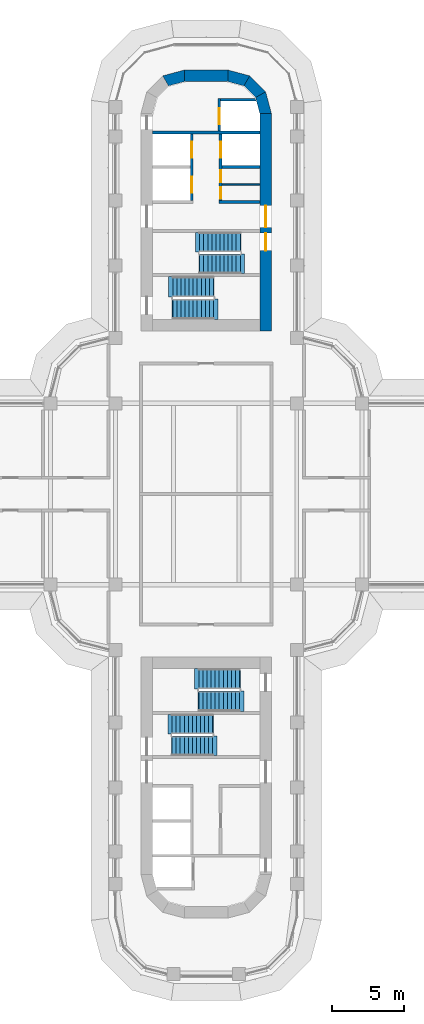
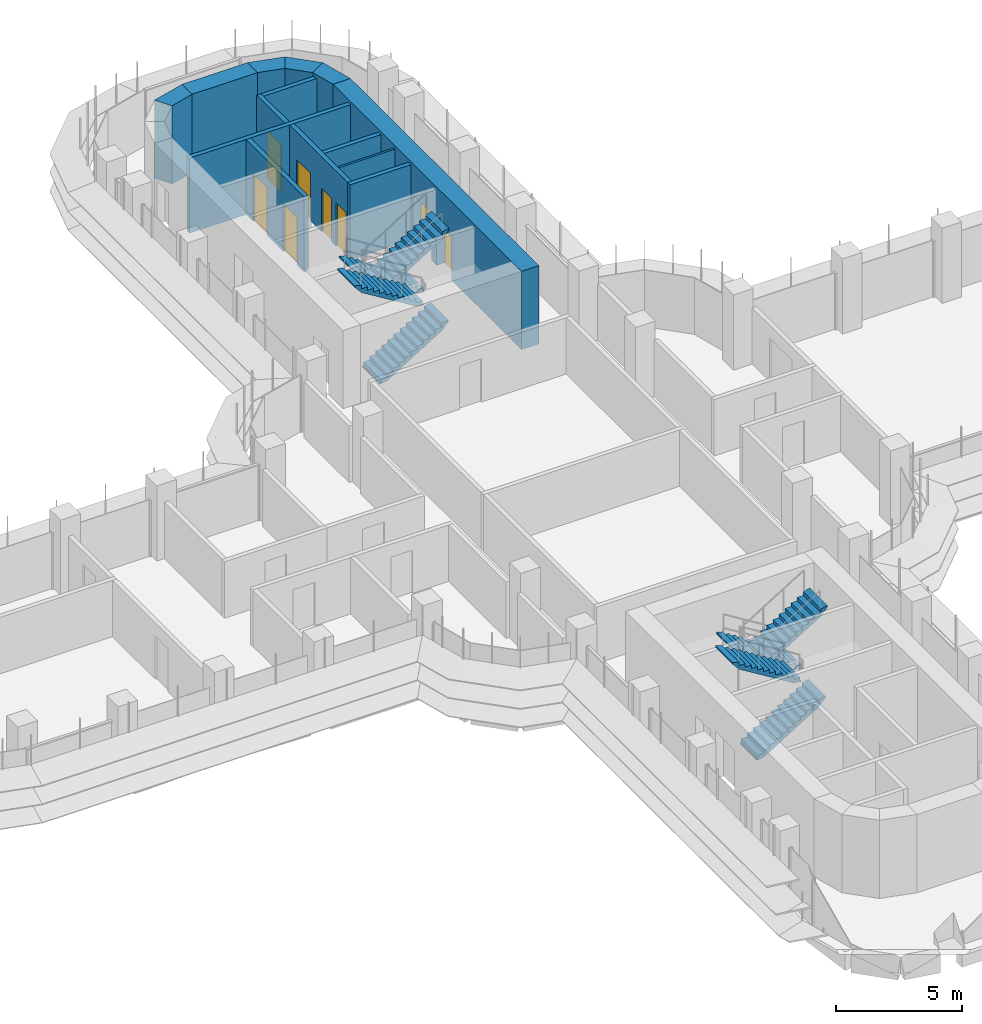
# One storey, part 17 of 21: 14 walls, 8 doors, 8 stair flights, 8 openings, 4 elements without a shape of their own.
"""IFC4 building model written with IfcOpenShell, lengths in metres."""

import ifcopenshell
import ifcopenshell.guid

model = None  # the IFC model being written
_history = None  # IfcOwnerHistory: only IFC2X3 demands one
_inside = {}  # id of a spatial element -> (the spatial element, [elements in it])
_under = {}  # id of a project, library or spatial element -> (it, [spatial elements below it])
_declared = {}  # id of a project -> (the project, [libraries it declares])
_typed = {}  # id of a type object -> (the type object, [elements of that type])
_made_of = {}  # id of a material, layer set ... -> (it, [elements and type objects made of it])


def new_model(schema):
    """Start an empty IFC model of exactly this schema.

    Asked for "IFC4X3", IfcOpenShell would pick the latest addendum, in which some entities
    have other attributes; the version numbers below select the first issue.
    IFC2X3 requires an IfcOwnerHistory on every rooted entity: one is made here for all.
    """
    global model, _history
    if schema == "IFC4X3":
        model = ifcopenshell.file(schema_version=(4, 3, 0, 0))
    else:
        model = ifcopenshell.file(schema=schema)
    _inside.clear()
    _under.clear()
    _declared.clear()
    _typed.clear()
    _made_of.clear()
    _history = None
    if model.schema == "IFC2X3":
        org = make("IfcOrganization", Name="unknown")
        user = make(
            "IfcPersonAndOrganization",
            ThePerson=make("IfcPerson", FamilyName="unknown"),
            TheOrganization=org,
        )
        app = make(
            "IfcApplication",
            ApplicationDeveloper=org,
            Version="unknown",
            ApplicationFullName="unknown",
            ApplicationIdentifier="unknown",
        )
        _history = make(
            "IfcOwnerHistory",
            OwningUser=user,
            OwningApplication=app,
            ChangeAction="ADDED",
            CreationDate=0,
        )
    return model


def make(cls, **values):
    """One entity of the class cls with the attributes given. An attribute that is None is left unset."""
    return model.create_entity(
        cls, **{name: value for name, value in values.items() if value is not None}
    )


def rooted(cls, **values):
    """An entity with a GlobalId (a new one), such as an element, a storey or a relation."""
    return make(cls, GlobalId=ifcopenshell.guid.new(), OwnerHistory=_history, **values)


def si_unit(unit_type, name, prefix=None):
    """IfcSIUnit, for example si_unit("LENGTHUNIT", "METRE", prefix="MILLI")."""
    return make("IfcSIUnit", UnitType=unit_type, Prefix=prefix, Name=name)


def assignment(units):
    """IfcUnitAssignment: the units of a project."""
    return None if units is None else make("IfcUnitAssignment", Units=units)


def point(xyz):
    """IfcCartesianPoint."""
    return None if xyz is None else make("IfcCartesianPoint", Coordinates=xyz)


def direction(xyz):
    """IfcDirection."""
    return None if xyz is None else make("IfcDirection", DirectionRatios=xyz)


def frame(location, z_axis=None, x_axis=None):
    """IfcAxis2Placement3D, a coordinate frame: its origin and axes. An axis left out is left unset."""
    return make(
        "IfcAxis2Placement3D",
        Location=point(location),
        Axis=direction(z_axis),
        RefDirection=direction(x_axis),
    )


def frame_2d(location, x_axis=None):
    """IfcAxis2Placement2D, a coordinate frame in the plane: its origin and x axis."""
    return make(
        "IfcAxis2Placement2D", Location=point(location), RefDirection=direction(x_axis)
    )


def origin():
    """The frame at (0, 0, 0) with its axes left unset."""
    return frame((0.0, 0.0, 0.0))


def place(relative_to, where):
    """IfcLocalPlacement: puts the frame where relative to a parent placement (None: the world)."""
    return make(
        "IfcLocalPlacement", PlacementRelTo=relative_to, RelativePlacement=where
    )


def context(
    kind, dimensions, precision=None, world=None, true_north=None, identifier=None
):
    """IfcGeometricRepresentationContext, for example the 3D "Model" context."""
    return make(
        "IfcGeometricRepresentationContext",
        ContextIdentifier=identifier,
        ContextType=kind,
        CoordinateSpaceDimension=dimensions,
        Precision=precision,
        WorldCoordinateSystem=world,
        TrueNorth=true_north,
    )


def subcontext(parent, identifier, kind, view, scale=None):
    """IfcGeometricRepresentationSubContext, for example "Body" below "Model"."""
    return make(
        "IfcGeometricRepresentationSubContext",
        ContextIdentifier=identifier,
        ContextType=kind,
        ParentContext=parent,
        TargetScale=scale,
        TargetView=view,
    )


def project(units=None, contexts=None):
    """IfcProject with its units and contexts."""
    return rooted(
        "IfcProject",
        Name="project",
        RepresentationContexts=contexts,
        UnitsInContext=assignment(units),
    )


def spatial(cls, under=None, at=None, **own):
    """A site, building, storey or space (cls), placed at a placement, below another one or the project."""
    s = rooted(cls, ObjectPlacement=at, **own)
    if under is not None:
        _under.setdefault(under.id(), (under, []))[1].append(s)
    return s


def polyline(points):
    """IfcPolyline through the points."""
    return make("IfcPolyline", Points=[point(p) for p in points])


def profile(cls, at=None, kind="AREA", **sizes):
    """A parametric profile (cls). Its sizes go by their IFC names, for example OverallWidth=200.0."""
    return make(cls, ProfileType=kind, Position=at, **sizes)


def rectangle(**sizes):
    """IfcRectangleProfileDef."""
    return profile("IfcRectangleProfileDef", **sizes)


def outline(outer, holes=None, kind="AREA"):
    """IfcArbitraryClosedProfileDef: a profile drawn as a closed curve; with holes, ...WithVoids."""
    if holes is None:
        return make("IfcArbitraryClosedProfileDef", ProfileType=kind, OuterCurve=outer)
    return make(
        "IfcArbitraryProfileDefWithVoids",
        ProfileType=kind,
        OuterCurve=outer,
        InnerCurves=holes,
    )


def extrude(swept, where, along, depth):
    """IfcExtrudedAreaSolid: the profile swept, set in the frame where, extruded along a direction by depth."""
    return make(
        "IfcExtrudedAreaSolid",
        SweptArea=swept,
        Position=where,
        ExtrudedDirection=direction(along),
        Depth=depth,
    )


def shape(context_of_items, identifier, shape_type, items):
    """IfcShapeRepresentation: the items that make up one representation, for example the "Body"."""
    return make(
        "IfcShapeRepresentation",
        ContextOfItems=context_of_items,
        RepresentationIdentifier=identifier,
        RepresentationType=shape_type,
        Items=items,
    )


def material(Name=None, Category=None):
    """IfcMaterial."""
    return make("IfcMaterial", Name=Name, Category=Category)


def layer(
    of_material, thickness, ventilated=None, Name=None, Category=None, Priority=None
):
    """IfcMaterialLayer: one layer of a wall or slab, of a material (None: an air gap)."""
    return make(
        "IfcMaterialLayer",
        Material=of_material,
        LayerThickness=thickness,
        IsVentilated=ventilated,
        Name=Name,
        Category=Category,
        Priority=Priority,
    )


def layer_set(layers, Name=None):
    """IfcMaterialLayerSet."""
    return make("IfcMaterialLayerSet", MaterialLayers=layers, LayerSetName=Name)


def made_of(thing, what):
    """Note that an element or type object is made of a material, layer set ...; save() writes the relation."""
    if what is not None:
        _made_of.setdefault(what.id(), (what, []))[1].append(thing)
    return thing


def type_object(cls, material=None, **own):
    """A type object (cls), such as IfcWallType, which elements share."""
    return made_of(rooted(cls, **own), material)


def element(
    cls,
    number,
    at=None,
    inside=None,
    cuts=None,
    type_object=None,
    material=None,
    context=None,
    identifier="Body",
    shape_type=None,
    held_by="IfcProductDefinitionShape",
    body=None,
    shapes=None,
    **own,
):
    """One element of the class cls, such as IfcWall. Its Tag is "e" and its number.

    at: its placement. inside: the storey or other place that contains it. cuts: it is an
    opening in that element (IfcRelVoidsElement). A single representation is given by context,
    identifier, shape_type and body (its items); several are given by shapes. held_by: the class
    of the entity that holds the representations. save() writes the other relations.
    """
    e = rooted(cls, Tag="e%d" % number, ObjectPlacement=at, **own)
    if body is not None:
        shapes = [shape(context, identifier, shape_type, body)]
    if shapes is not None:
        e.Representation = make(held_by, Representations=shapes)
    if inside is not None:
        _inside.setdefault(inside.id(), (inside, []))[1].append(e)
    if cuts is not None:
        rooted(
            "IfcRelVoidsElement", RelatingBuildingElement=cuts, RelatedOpeningElement=e
        )
    if type_object is not None:
        _typed.setdefault(type_object.id(), (type_object, []))[1].append(e)
    return made_of(e, material)


def fill(opening, filler):
    """IfcRelFillsElement: the door or window that sits in an opening."""
    return rooted(
        "IfcRelFillsElement",
        RelatingOpeningElement=opening,
        RelatedBuildingElement=filler,
    )


def aggregate(whole, parts):
    """IfcRelAggregates: a whole, such as a stair, and the parts it consists of."""
    return rooted("IfcRelAggregates", RelatingObject=whole, RelatedObjects=parts)


def save(model, path):
    """Write the relations noted so far, then the file.

    IfcRelAggregates (storeys below a building ...), IfcRelContainedInSpatialStructure (elements
    in a storey), IfcRelDefinesByType, IfcRelAssociatesMaterial and IfcRelDeclares: one each for
    every whole, place, type object, material and project.
    """
    for whole, parts in _under.values():
        aggregate(whole, parts)
    for where, things in _inside.values():
        rooted(
            "IfcRelContainedInSpatialStructure",
            RelatedElements=things,
            RelatingStructure=where,
        )
    for kind, things in _typed.values():
        rooted("IfcRelDefinesByType", RelatedObjects=things, RelatingType=kind)
    for what, things in _made_of.values():
        rooted("IfcRelAssociatesMaterial", RelatedObjects=things, RelatingMaterial=what)
    for by, libraries in _declared.values():
        rooted("IfcRelDeclares", RelatingContext=by, RelatedDefinitions=libraries)
    model.write(path)


model = new_model("IFC4")

# Units and contexts
model_context = context("Model", 3, precision=1e-05, world=origin(), true_north=direction((0.0, 1.0)))
body_context = subcontext(model_context, "Body", "Model", "MODEL_VIEW")
ifc_project = project(units=[si_unit("LENGTHUNIT", "METRE"), si_unit("AREAUNIT", "SQUARE_METRE"), si_unit("VOLUMEUNIT", "CUBIC_METRE"), si_unit("PLANEANGLEUNIT", "RADIAN"), si_unit("MASSUNIT", "GRAM", prefix="KILO")], contexts=[model_context])

# Site, building, storey
site_placement = place(None, origin())
site = spatial("IfcSite", under=ifc_project, at=site_placement, CompositionType="ELEMENT")
building_placement = place(site_placement, origin())
building = spatial("IfcBuilding", under=site, at=building_placement, Name="Zarbagh Exchange Tower", CompositionType="ELEMENT")
storey_placement = place(building_placement, frame((0.0, 0.0, 117.0)))
storey = spatial("IfcBuildingStorey", under=building, at=storey_placement, Name="L27", CompositionType="ELEMENT", Elevation=117.0)

# Walls
ifc_material_1 = material(Name="Dense blockwork", Category="masonry")
ifc_layer_1 = layer(ifc_material_1, 0.10009765625)
ifc_layer_set_1 = layer_set([ifc_layer_1], Name="Core partition 100 mm blockwork")
wall_type_1 = type_object("IfcWallType", Name="Core partition 100 mm blockwork", PredefinedType="PARTITIONING", material=ifc_layer_set_1)
wall_1_placement = place(storey_placement, frame((1.10009765625, 21.35009765625, 0.0), z_axis=(0.0, 0.0, 1.0), x_axis=(1.0, 0.0, 0.0)))
element("IfcWall", 1, at=wall_1_placement, inside=storey, type_object=wall_type_1, Name="North core partition wall CUT-E-700", PredefinedType="PARTITIONING", context=body_context, shape_type="SweptSolid", body=[
    extrude(rectangle(XDim=2.599853515625, YDim=0.10009765625, at=frame_2d((1.2998046875, 0.0))), origin(), (0.0, 0.0, 1.0), 3.64990234375),
])
ifc_material_2 = material(Name="Concrete C60/75", Category="concrete")
ifc_layer_2 = layer(ifc_material_2, 0.800048828125)
ifc_layer_set_2 = layer_set([ifc_layer_2], Name="RC core corner wall 800 C60/75")
wall_type_2 = type_object("IfcWallType", Name="RC core corner wall 800 C60/75", PredefinedType="SHEAR", material=ifc_layer_set_2)
wall_2_placement = place(storey_placement, origin())
element("IfcWall", 2, at=wall_2_placement, inside=storey, type_object=wall_type_2, Name="CW4 core N corner W", PredefinedType="SHEAR", context=body_context, shape_type="SweptSolid", body=[
    extrude(outline(polyline([(-3.0, 28.84814453125), (-1.5, 29.25), (-1.5, 28.449951171875), (-2.60009765625, 28.1552734375), (-3.0, 28.84814453125)])), origin(), (0.0, 0.0, 1.0), 3.800048828125),
])
wall_3_placement = place(storey_placement, origin())
element("IfcWall", 3, at=wall_3_placement, inside=storey, type_object=wall_type_2, Name="CW4 core N corner E", PredefinedType="SHEAR", context=body_context, shape_type="SweptSolid", body=[
    extrude(outline(polyline([(4.5, 26.25), (4.09814453125, 27.75), (3.4052734375, 27.35009765625), (3.699951171875, 26.25), (4.5, 26.25)])), origin(), (0.0, 0.0, 1.0), 3.800048828125),
])
wall_4_placement = place(storey_placement, origin())
element("IfcWall", 4, at=wall_4_placement, inside=storey, type_object=wall_type_2, Name="CW4 core N corner E", PredefinedType="SHEAR", context=body_context, shape_type="SweptSolid", body=[
    extrude(outline(polyline([(4.09814453125, 27.75), (3.0, 28.84814453125), (2.60009765625, 28.1552734375), (3.4052734375, 27.35009765625), (4.09814453125, 27.75)])), origin(), (0.0, 0.0, 1.0), 3.800048828125),
])
wall_5_placement = place(storey_placement, origin())
element("IfcWall", 5, at=wall_5_placement, inside=storey, type_object=wall_type_2, Name="CW4 core N corner E", PredefinedType="SHEAR", context=body_context, shape_type="SweptSolid", body=[
    extrude(outline(polyline([(3.0, 28.84814453125), (1.5, 29.25), (1.5, 28.449951171875), (2.60009765625, 28.1552734375), (3.0, 28.84814453125)])), origin(), (0.0, 0.0, 1.0), 3.800048828125),
])

# Wall, openings, doors
ifc_layer_3 = layer(ifc_material_2, 0.800048828125)
ifc_layer_set_3 = layer_set([ifc_layer_3], Name="RC core wall 800 C60/75")
wall_type_3 = type_object("IfcWallType", Name="RC core wall 800 C60/75", PredefinedType="SHEAR", material=ifc_layer_set_3)
wall_6_placement = place(storey_placement, frame((4.10009765625, 11.25, 0.0), z_axis=(0.0, 0.0, 1.0), x_axis=(0.0, 1.0, 0.0)))
wall_6 = element("IfcWall", 6, at=wall_6_placement, inside=storey, type_object=wall_type_3, Name="CW3 core N E", PredefinedType="SHEAR", context=body_context, shape_type="SweptSolid", body=[
    extrude(rectangle(XDim=15.0, YDim=0.800048828125, at=frame_2d((7.5, 0.0))), origin(), (0.0, 0.0, 1.0), 3.800048828125),
])
opening_1_placement = place(wall_6_placement, frame((7.14990234375, 0.0, 0.0)))
opening_1 = element("IfcOpeningElement", 7, at=opening_1_placement, cuts=wall_6, Name="Opening CD1-1500", PredefinedType="OPENING", context=body_context, shape_type="SweptSolid", body=[
    extrude(rectangle(XDim=1.5, YDim=2.300048828125, at=frame_2d((0.75, 1.14990234375))), frame((0.0, 0.409912109375, 0.0), z_axis=(0.0, -1.0, 0.0), x_axis=(1.0, 0.0, 0.0)), (0.0, 0.0, 1.0), 0.820068359375),
])
opening_2_placement = place(wall_6_placement, frame((5.550048828125, 0.0, 0.0)))
opening_2 = element("IfcOpeningElement", 8, at=opening_2_placement, cuts=wall_6, Name="Opening SD1-1200", PredefinedType="OPENING", context=body_context, shape_type="SweptSolid", body=[
    extrude(rectangle(XDim=1.199951171875, YDim=2.10009765625, at=frame_2d((0.60009765625, 1.050048828125))), frame((0.0, 0.409912109375, 0.0), z_axis=(0.0, -1.0, 0.0), x_axis=(1.0, 0.0, 0.0)), (0.0, 0.0, 1.0), 0.820068359375),
])
ifc_material_3 = material(Name="Steel", Category="steel")
door_type_1 = type_object("IfcDoorType", Name="Exit stair door 1200 x 2100", OperationType="NOTDEFINED", PredefinedType="DOOR", material=ifc_material_3)
door_1_placement = place(opening_2_placement, origin())
door_1 = element("IfcDoor", 9, at=door_1_placement, inside=storey, type_object=door_type_1, Name="North core stair door ST1", OperationType="SINGLE_SWING_RIGHT", OverallHeight=2.10009765625, OverallWidth=1.199951171875, PredefinedType="DOOR", context=body_context, shape_type="SweptSolid", body=[
    extrude(rectangle(XDim=1.199951171875, YDim=2.10009765625, at=frame_2d((0.60009765625, 1.050048828125))), frame((0.0, 0.02490234375, 0.0), z_axis=(0.0, -1.0, 0.0), x_axis=(1.0, 0.0, 0.0)), (0.0, 0.0, 1.0), 0.050048828125),
])
fill(opening_2, door_1)
door_type_2 = type_object("IfcDoorType", Name="Lift lobby double door 1500 x 2300", OperationType="NOTDEFINED", PredefinedType="DOOR", material=ifc_material_3)
door_2_placement = place(opening_1_placement, origin())
door_2 = element("IfcDoor", 10, at=door_2_placement, inside=storey, type_object=door_type_2, Name="North core lift lobby door LOBBY-E", OperationType="DOUBLE_DOOR_SINGLE_SWING", OverallHeight=2.300048828125, OverallWidth=1.5, PredefinedType="DOOR", context=body_context, shape_type="SweptSolid", body=[
    extrude(rectangle(XDim=1.5, YDim=2.300048828125, at=frame_2d((0.75, 1.14990234375))), frame((0.0, 0.02490234375, 0.0), z_axis=(0.0, -1.0, 0.0), x_axis=(1.0, 0.0, 0.0)), (0.0, 0.0, 1.0), 0.050048828125),
])
fill(opening_1, door_2)

# Wall
wall_7_placement = place(storey_placement, frame((-1.5, 28.85009765625, 0.0), z_axis=(0.0, 0.0, 1.0), x_axis=(1.0, 0.0, 0.0)))
element("IfcWall", 11, at=wall_7_placement, inside=storey, type_object=wall_type_3, Name="CW3 core N outer end", PredefinedType="SHEAR", context=body_context, shape_type="SweptSolid", body=[
    extrude(rectangle(XDim=3.0, YDim=0.800048828125, at=frame_2d((1.5, 0.0))), origin(), (0.0, 0.0, 1.0), 3.800048828125),
])

# Wall, openings, doors
ifc_layer_4 = layer(ifc_material_1, 0.199951171875)
ifc_layer_set_4 = layer_set([ifc_layer_4], Name="Shaft wall 200 mm blockwork")
wall_type_4 = type_object("IfcWallType", Name="Shaft wall 200 mm blockwork", PredefinedType="PARTITIONING", material=ifc_layer_set_4)
wall_8_placement = place(storey_placement, frame((-1.0, 24.85009765625, 0.0), z_axis=(0.0, 0.0, 1.0), x_axis=(0.0, -1.0, 0.0)))
wall_8 = element("IfcWall", 12, at=wall_8_placement, inside=storey, type_object=wall_type_4, Name="North core shaft wall LW-W", PredefinedType="PARTITIONING", context=body_context, shape_type="SweptSolid", body=[
    extrude(rectangle(XDim=4.60009765625, YDim=0.199951171875, at=frame_2d((2.300048828125, 0.0))), origin(), (0.0, 0.0, 1.0), 3.64990234375),
])
opening_3_placement = place(wall_8_placement, frame((0.550048828125, 0.0, 0.0)))
opening_3 = element("IfcOpeningElement", 13, at=opening_3_placement, cuts=wall_8, Name="Opening LD-1100", PredefinedType="OPENING", context=body_context, shape_type="SweptSolid", body=[
    extrude(rectangle(XDim=1.10009765625, YDim=2.300048828125, at=frame_2d((0.550048828125, 1.14990234375))), frame((0.0, 0.10986328125, 0.0), z_axis=(0.0, -1.0, 0.0), x_axis=(1.0, 0.0, 0.0)), (0.0, 0.0, 1.0), 0.219970703125),
])
opening_4_placement = place(wall_8_placement, frame((2.949951171875, 0.0, 0.0)))
opening_4 = element("IfcOpeningElement", 14, at=opening_4_placement, cuts=wall_8, Name="Opening LD-1100", PredefinedType="OPENING", context=body_context, shape_type="SweptSolid", body=[
    extrude(rectangle(XDim=1.10009765625, YDim=2.300048828125, at=frame_2d((0.550048828125, 1.14990234375))), frame((0.0, 0.10986328125, 0.0), z_axis=(0.0, -1.0, 0.0), x_axis=(1.0, 0.0, 0.0)), (0.0, 0.0, 1.0), 0.219970703125),
])
ifc_material_4 = material(Name="Stainless steel", Category="steel")
door_type_3 = type_object("IfcDoorType", Name="Lift landing door 1100 x 2300", OperationType="NOTDEFINED", PredefinedType="DOOR", material=ifc_material_4)
door_3_placement = place(opening_3_placement, origin())
door_3 = element("IfcDoor", 15, at=door_3_placement, inside=storey, type_object=door_type_3, Name="North core lift landing door LD-P-N1", OperationType="DOUBLE_DOOR_SLIDING", OverallHeight=2.300048828125, OverallWidth=1.10009765625, PredefinedType="DOOR", context=body_context, shape_type="SweptSolid", body=[
    extrude(rectangle(XDim=1.10009765625, YDim=2.300048828125, at=frame_2d((0.550048828125, 1.14990234375))), frame((0.0, 0.02490234375, 0.0), z_axis=(0.0, -1.0, 0.0), x_axis=(1.0, 0.0, 0.0)), (0.0, 0.0, 1.0), 0.050048828125),
])
fill(opening_3, door_3)
door_4_placement = place(opening_4_placement, origin())
door_4 = element("IfcDoor", 16, at=door_4_placement, inside=storey, type_object=door_type_3, Name="North core lift landing door LD-P-N2", OperationType="DOUBLE_DOOR_SLIDING", OverallHeight=2.300048828125, OverallWidth=1.10009765625, PredefinedType="DOOR", context=body_context, shape_type="SweptSolid", body=[
    extrude(rectangle(XDim=1.10009765625, YDim=2.300048828125, at=frame_2d((0.550048828125, 1.14990234375))), frame((0.0, 0.02490234375, 0.0), z_axis=(0.0, -1.0, 0.0), x_axis=(1.0, 0.0, 0.0)), (0.0, 0.0, 1.0), 0.050048828125),
])
fill(opening_4, door_4)

# Wall
wall_9_placement = place(storey_placement, frame((0.89990234375, 20.14990234375, 0.0), z_axis=(0.0, 0.0, 1.0), x_axis=(1.0, 0.0, 0.0)))
element("IfcWall", 17, at=wall_9_placement, inside=storey, type_object=wall_type_4, Name="North core shaft wall AB-E", PredefinedType="PARTITIONING", context=body_context, shape_type="SweptSolid", body=[
    extrude(rectangle(XDim=2.800048828125, YDim=0.199951171875, at=frame_2d((1.39990234375, 0.0))), origin(), (0.0, 0.0, 1.0), 3.64990234375),
])

# Wall, openings, doors
wall_10_placement = place(storey_placement, frame((1.0, 24.85009765625, 0.0), z_axis=(0.0, 0.0, 1.0), x_axis=(0.0, -1.0, 0.0)))
wall_10 = element("IfcWall", 18, at=wall_10_placement, inside=storey, type_object=wall_type_4, Name="North core shaft wall LW-E", PredefinedType="PARTITIONING", context=body_context, shape_type="SweptSolid", body=[
    extrude(rectangle(XDim=4.60009765625, YDim=0.199951171875, at=frame_2d((2.300048828125, 0.0))), origin(), (0.0, 0.0, 1.0), 3.64990234375),
])
opening_5_placement = place(wall_10_placement, frame((0.550048828125, 0.0, 0.0)))
opening_5 = element("IfcOpeningElement", 19, at=opening_5_placement, cuts=wall_10, Name="Opening LD-1100", PredefinedType="OPENING", context=body_context, shape_type="SweptSolid", body=[
    extrude(rectangle(XDim=1.10009765625, YDim=2.300048828125, at=frame_2d((0.550048828125, 1.14990234375))), frame((0.0, 0.10986328125, 0.0), z_axis=(0.0, -1.0, 0.0), x_axis=(1.0, 0.0, 0.0)), (0.0, 0.0, 1.0), 0.219970703125),
])
opening_6_placement = place(wall_10_placement, frame((2.52490234375, 0.0, 0.0)))
opening_6 = element("IfcOpeningElement", 20, at=opening_6_placement, cuts=wall_10, Name="Opening CD3-800", PredefinedType="OPENING", context=body_context, shape_type="SweptSolid", body=[
    extrude(rectangle(XDim=0.800048828125, YDim=2.10009765625, at=frame_2d((0.39990234375, 1.050048828125))), frame((0.0, 0.10986328125, 0.0), z_axis=(0.0, -1.0, 0.0), x_axis=(1.0, 0.0, 0.0)), (0.0, 0.0, 1.0), 0.219970703125),
])
opening_7_placement = place(wall_10_placement, frame((3.675048828125, 0.0, 0.0)))
opening_7 = element("IfcOpeningElement", 21, at=opening_7_placement, cuts=wall_10, Name="Opening CD3-800", PredefinedType="OPENING", context=body_context, shape_type="SweptSolid", body=[
    extrude(rectangle(XDim=0.800048828125, YDim=2.10009765625, at=frame_2d((0.39990234375, 1.050048828125))), frame((0.0, 0.10986328125, 0.0), z_axis=(0.0, -1.0, 0.0), x_axis=(1.0, 0.0, 0.0)), (0.0, 0.0, 1.0), 0.219970703125),
])
door_type_4 = type_object("IfcDoorType", Name="Core room door 800 x 2100", OperationType="NOTDEFINED", PredefinedType="DOOR", material=ifc_material_3)
door_5_placement = place(opening_6_placement, origin())
door_5 = element("IfcDoor", 22, at=door_5_placement, inside=storey, type_object=door_type_4, Name="North core Store door RD-E-0", OperationType="SINGLE_SWING_RIGHT", OverallHeight=2.10009765625, OverallWidth=0.800048828125, PredefinedType="DOOR", context=body_context, shape_type="SweptSolid", body=[
    extrude(rectangle(XDim=0.800048828125, YDim=2.10009765625, at=frame_2d((0.39990234375, 1.050048828125))), frame((0.0, 0.02490234375, 0.0), z_axis=(0.0, -1.0, 0.0), x_axis=(1.0, 0.0, 0.0)), (0.0, 0.0, 1.0), 0.050048828125),
])
fill(opening_6, door_5)
door_6_placement = place(opening_7_placement, origin())
door_6 = element("IfcDoor", 23, at=door_6_placement, inside=storey, type_object=door_type_4, Name="North core IT room door RD-E-1", OperationType="SINGLE_SWING_RIGHT", OverallHeight=2.10009765625, OverallWidth=0.800048828125, PredefinedType="DOOR", context=body_context, shape_type="SweptSolid", body=[
    extrude(rectangle(XDim=0.800048828125, YDim=2.10009765625, at=frame_2d((0.39990234375, 1.050048828125))), frame((0.0, 0.02490234375, 0.0), z_axis=(0.0, -1.0, 0.0), x_axis=(1.0, 0.0, 0.0)), (0.0, 0.0, 1.0), 0.050048828125),
])
fill(opening_7, door_6)
door_7_placement = place(opening_5_placement, origin())
door_7 = element("IfcDoor", 24, at=door_7_placement, inside=storey, type_object=door_type_3, Name="North core lift landing door LD-P-N3", OperationType="DOUBLE_DOOR_SLIDING", OverallHeight=2.300048828125, OverallWidth=1.10009765625, PredefinedType="DOOR", context=body_context, shape_type="SweptSolid", body=[
    extrude(rectangle(XDim=1.10009765625, YDim=2.300048828125, at=frame_2d((0.550048828125, 1.14990234375))), frame((0.0, 0.02490234375, 0.0), z_axis=(0.0, -1.0, 0.0), x_axis=(1.0, 0.0, 0.0)), (0.0, 0.0, 1.0), 0.050048828125),
])
fill(opening_5, door_7)

# Walls
wall_11_placement = place(storey_placement, frame((1.10009765625, 22.550048828125, 0.0), z_axis=(0.0, 0.0, 1.0), x_axis=(1.0, 0.0, 0.0)))
element("IfcWall", 25, at=wall_11_placement, inside=storey, type_object=wall_type_4, Name="North core shaft wall TR-E", PredefinedType="PARTITIONING", context=body_context, shape_type="SweptSolid", body=[
    extrude(rectangle(XDim=2.599853515625, YDim=0.199951171875, at=frame_2d((1.2998046875, 0.0))), origin(), (0.0, 0.0, 1.0), 3.64990234375),
])
ifc_material_5 = material(Name="Concrete C40/50", Category="concrete")
ifc_layer_5 = layer(ifc_material_5, 0.199951171875)
ifc_layer_set_5 = layer_set([ifc_layer_5], Name="Stair enclosure wall 200 mm RC C40/50")
wall_type_5 = type_object("IfcWallType", Name="Stair enclosure wall 200 mm RC C40/50", PredefinedType="SHEAR", material=ifc_layer_set_5)
wall_12_placement = place(storey_placement, frame((-3.699951171875, 24.949951171875, 0.0), z_axis=(0.0, 0.0, 1.0), x_axis=(1.0, 0.0, 0.0)))
element("IfcWall", 26, at=wall_12_placement, inside=storey, type_object=wall_type_5, Name="North core lift shaft wall FFA", PredefinedType="SHEAR", context=body_context, shape_type="SweptSolid", body=[
    extrude(rectangle(XDim=7.39990234375, YDim=0.199951171875, at=frame_2d((3.699951171875, 0.0))), origin(), (0.0, 0.0, 1.0), 3.64990234375),
])

# Wall, opening, door
wall_13_placement = place(storey_placement, frame((0.89990234375, 27.300048828125, 0.0), z_axis=(0.0, 0.0, 1.0), x_axis=(0.0, -1.0, 0.0)))
wall_13 = element("IfcWall", 27, at=wall_13_placement, inside=storey, type_object=wall_type_5, Name="North core lift shaft wall FFL", PredefinedType="SHEAR", context=body_context, shape_type="SweptSolid", body=[
    extrude(rectangle(XDim=2.25, YDim=0.199951171875, at=frame_2d((1.125, 0.0))), origin(), (0.0, 0.0, 1.0), 3.64990234375),
])
opening_8_placement = place(wall_13_placement, frame((0.699951171875, 0.0, 0.0)))
opening_8 = element("IfcOpeningElement", 28, at=opening_8_placement, cuts=wall_13, Name="Opening LD-1100", PredefinedType="OPENING", context=body_context, shape_type="SweptSolid", body=[
    extrude(rectangle(XDim=1.10009765625, YDim=2.300048828125, at=frame_2d((0.550048828125, 1.14990234375))), frame((0.0, 0.10986328125, 0.0), z_axis=(0.0, -1.0, 0.0), x_axis=(1.0, 0.0, 0.0)), (0.0, 0.0, 1.0), 0.219970703125),
])
door_8_placement = place(opening_8_placement, origin())
door_8 = element("IfcDoor", 29, at=door_8_placement, inside=storey, type_object=door_type_3, Name="North core lift landing door LD-F", OperationType="DOUBLE_DOOR_SLIDING", OverallHeight=2.300048828125, OverallWidth=1.10009765625, PredefinedType="DOOR", context=body_context, shape_type="SweptSolid", body=[
    extrude(rectangle(XDim=1.10009765625, YDim=2.300048828125, at=frame_2d((0.550048828125, 1.14990234375))), frame((0.0, 0.02490234375, 0.0), z_axis=(0.0, -1.0, 0.0), x_axis=(1.0, 0.0, 0.0)), (0.0, 0.0, 1.0), 0.050048828125),
])
fill(opening_8, door_8)

# Wall
wall_14_placement = place(storey_placement, origin())
element("IfcWall", 30, at=wall_14_placement, inside=storey, type_object=wall_type_5, Name="North core lift shaft wall FFX", PredefinedType="SHEAR", context=body_context, shape_type="SweptSolid", body=[
    extrude(outline(polyline([(1.0, 27.10009765625), (3.444091796875, 27.10009765625), (3.390380859375, 27.300048828125), (1.0, 27.300048828125), (1.0, 27.10009765625)])), origin(), (0.0, 0.0, 1.0), 3.64990234375),
])

# Stair, stair flights
stair_type = type_object("IfcStairType", Name="Exit stair two-flight half-turn", PredefinedType="HALF_TURN_STAIR", material=ifc_material_5)
stair_1_placement = place(storey_placement, origin())
stair_1 = element("IfcStair", 31, at=stair_1_placement, inside=storey, type_object=stair_type, Name="exit stair ST1", PredefinedType="HALF_TURN_STAIR")
stair_flight_type_1 = type_object("IfcStairFlightType", Name="Stair flight 1350 mm", PredefinedType="STRAIGHT", material=ifc_material_5)
stair_flight_1_placement = place(storey_placement, frame((2.35009765625, 17.375, 0.0), z_axis=(0.0, 0.0, 1.0), x_axis=(-1.0, 0.0, 0.0)))
stair_flight_1 = element("IfcStairFlight", 32, at=stair_flight_1_placement, type_object=stair_flight_type_1, Name="ST1 flight 1", NumberOfRisers=11, NumberOfTreads=10, PredefinedType="STRAIGHT", RiserHeight=0.172727273, TreadLength=0.28, context=body_context, shape_type="SweptSolid", body=[
    extrude(outline(polyline([(-0.050048828125, -0.050048828125), (-0.050048828125, 0.0), (0.0, 0.0), (0.0, 0.172607421875), (0.280029296875, 0.172607421875), (0.280029296875, 0.345458984375), (0.56005859375, 0.345458984375), (0.56005859375, 0.51806640625), (0.840087890625, 0.51806640625), (0.840087890625, 0.69091796875), (1.1201171875, 0.69091796875), (1.1201171875, 0.863525390625), (1.39990234375, 0.863525390625), (1.39990234375, 1.036376953125), (1.679931640625, 1.036376953125), (1.679931640625, 1.208984375), (1.9599609375, 1.208984375), (1.9599609375, 1.3818359375), (2.239990234375, 1.3818359375), (2.239990234375, 1.554443359375), (2.52001953125, 1.554443359375), (2.52001953125, 1.727294921875), (2.800048828125, 1.727294921875), (2.800048828125, 1.89990234375), (3.10009765625, 1.97998046875), (3.10009765625, 1.89990234375), (2.800048828125, 1.551025390625), (0.285400390625, 0.0), (-0.050048828125, -0.050048828125)])), frame((0.0, 0.675048828125, 0.0), z_axis=(0.0, -1.0, 0.0), x_axis=(1.0, 0.0, 0.0)), (0.0, 0.0, 1.0), 1.35009765625),
])
stair_flight_2_placement = place(storey_placement, frame((-0.449951171875, 15.875, 1.89990234375), z_axis=(0.0, 0.0, 1.0), x_axis=(1.0, 0.0, 0.0)))
stair_flight_2 = element("IfcStairFlight", 33, at=stair_flight_2_placement, type_object=stair_flight_type_1, Name="ST1 flight 2", NumberOfRisers=11, NumberOfTreads=10, PredefinedType="STRAIGHT", RiserHeight=0.172727273, TreadLength=0.28, context=body_context, shape_type="SweptSolid", body=[
    extrude(outline(polyline([(-0.050048828125, -0.050048828125), (-0.050048828125, 0.0), (0.0, 0.0), (0.0, 0.172607421875), (0.280029296875, 0.172607421875), (0.280029296875, 0.345458984375), (0.56005859375, 0.345458984375), (0.56005859375, 0.51806640625), (0.840087890625, 0.51806640625), (0.840087890625, 0.69091796875), (1.1201171875, 0.69091796875), (1.1201171875, 0.863525390625), (1.39990234375, 0.863525390625), (1.39990234375, 1.036376953125), (1.679931640625, 1.036376953125), (1.679931640625, 1.208984375), (1.9599609375, 1.208984375), (1.9599609375, 1.3818359375), (2.239990234375, 1.3818359375), (2.239990234375, 1.554443359375), (2.52001953125, 1.554443359375), (2.52001953125, 1.727294921875), (2.800048828125, 1.727294921875), (2.800048828125, 1.89990234375), (3.10009765625, 1.97998046875), (3.10009765625, 1.89990234375), (2.800048828125, 1.551025390625), (0.285400390625, 0.0), (-0.050048828125, -0.050048828125)])), frame((0.0, 0.675048828125, 0.0), z_axis=(0.0, -1.0, 0.0), x_axis=(1.0, 0.0, 0.0)), (0.0, 0.0, 1.0), 1.35009765625),
])
aggregate(stair_1, [stair_flight_1, stair_flight_2])

stair_2_placement = place(storey_placement, origin())
stair_2 = element("IfcStair", 34, at=stair_2_placement, inside=storey, type_object=stair_type, Name="exit stair ST3", PredefinedType="HALF_TURN_STAIR")
stair_flight_3_placement = place(storey_placement, frame((-2.35009765625, -17.375, 0.0), z_axis=(0.0, 0.0, 1.0), x_axis=(1.0, 0.0, 0.0)))
stair_flight_3 = element("IfcStairFlight", 35, at=stair_flight_3_placement, type_object=stair_flight_type_1, Name="ST3 flight 1", NumberOfRisers=11, NumberOfTreads=10, PredefinedType="STRAIGHT", RiserHeight=0.172727273, TreadLength=0.28, context=body_context, shape_type="SweptSolid", body=[
    extrude(outline(polyline([(-0.050048828125, -0.050048828125), (-0.050048828125, 0.0), (0.0, 0.0), (0.0, 0.172607421875), (0.280029296875, 0.172607421875), (0.280029296875, 0.345458984375), (0.56005859375, 0.345458984375), (0.56005859375, 0.51806640625), (0.840087890625, 0.51806640625), (0.840087890625, 0.69091796875), (1.1201171875, 0.69091796875), (1.1201171875, 0.863525390625), (1.39990234375, 0.863525390625), (1.39990234375, 1.036376953125), (1.679931640625, 1.036376953125), (1.679931640625, 1.208984375), (1.9599609375, 1.208984375), (1.9599609375, 1.3818359375), (2.239990234375, 1.3818359375), (2.239990234375, 1.554443359375), (2.52001953125, 1.554443359375), (2.52001953125, 1.727294921875), (2.800048828125, 1.727294921875), (2.800048828125, 1.89990234375), (3.10009765625, 1.97998046875), (3.10009765625, 1.89990234375), (2.800048828125, 1.551025390625), (0.285400390625, 0.0), (-0.050048828125, -0.050048828125)])), frame((0.0, 0.675048828125, 0.0), z_axis=(0.0, -1.0, 0.0), x_axis=(1.0, 0.0, 0.0)), (0.0, 0.0, 1.0), 1.35009765625),
])
stair_flight_4_placement = place(storey_placement, frame((0.449951171875, -15.875, 1.89990234375), z_axis=(0.0, 0.0, 1.0), x_axis=(-1.0, 0.0, 0.0)))
stair_flight_4 = element("IfcStairFlight", 36, at=stair_flight_4_placement, type_object=stair_flight_type_1, Name="ST3 flight 2", NumberOfRisers=11, NumberOfTreads=10, PredefinedType="STRAIGHT", RiserHeight=0.172727273, TreadLength=0.28, context=body_context, shape_type="SweptSolid", body=[
    extrude(outline(polyline([(-0.050048828125, -0.050048828125), (-0.050048828125, 0.0), (0.0, 0.0), (0.0, 0.172607421875), (0.280029296875, 0.172607421875), (0.280029296875, 0.345458984375), (0.56005859375, 0.345458984375), (0.56005859375, 0.51806640625), (0.840087890625, 0.51806640625), (0.840087890625, 0.69091796875), (1.1201171875, 0.69091796875), (1.1201171875, 0.863525390625), (1.39990234375, 0.863525390625), (1.39990234375, 1.036376953125), (1.679931640625, 1.036376953125), (1.679931640625, 1.208984375), (1.9599609375, 1.208984375), (1.9599609375, 1.3818359375), (2.239990234375, 1.3818359375), (2.239990234375, 1.554443359375), (2.52001953125, 1.554443359375), (2.52001953125, 1.727294921875), (2.800048828125, 1.727294921875), (2.800048828125, 1.89990234375), (3.10009765625, 1.97998046875), (3.10009765625, 1.89990234375), (2.800048828125, 1.551025390625), (0.285400390625, 0.0), (-0.050048828125, -0.050048828125)])), frame((0.0, 0.675048828125, 0.0), z_axis=(0.0, -1.0, 0.0), x_axis=(1.0, 0.0, 0.0)), (0.0, 0.0, 1.0), 1.35009765625),
])
aggregate(stair_2, [stair_flight_3, stair_flight_4])

stair_3_placement = place(storey_placement, origin())
stair_3 = element("IfcStair", 37, at=stair_3_placement, inside=storey, type_object=stair_type, Name="exit stair ST2", PredefinedType="HALF_TURN_STAIR")
stair_flight_type_2 = type_object("IfcStairFlightType", Name="Stair flight 1400 mm", PredefinedType="STRAIGHT", material=ifc_material_5)
stair_flight_5_placement = place(storey_placement, frame((-2.300048828125, 12.75, 0.0), z_axis=(0.0, 0.0, 1.0), x_axis=(1.0, 0.0, 0.0)))
stair_flight_5 = element("IfcStairFlight", 38, at=stair_flight_5_placement, type_object=stair_flight_type_2, Name="ST2 flight 1", NumberOfRisers=11, NumberOfTreads=10, PredefinedType="STRAIGHT", RiserHeight=0.172727273, TreadLength=0.28, context=body_context, shape_type="SweptSolid", body=[
    extrude(outline(polyline([(-0.050048828125, -0.050048828125), (-0.050048828125, 0.0), (0.0, 0.0), (0.0, 0.172607421875), (0.280029296875, 0.172607421875), (0.280029296875, 0.345458984375), (0.56005859375, 0.345458984375), (0.56005859375, 0.51806640625), (0.840087890625, 0.51806640625), (0.840087890625, 0.69091796875), (1.1201171875, 0.69091796875), (1.1201171875, 0.863525390625), (1.39990234375, 0.863525390625), (1.39990234375, 1.036376953125), (1.679931640625, 1.036376953125), (1.679931640625, 1.208984375), (1.9599609375, 1.208984375), (1.9599609375, 1.3818359375), (2.239990234375, 1.3818359375), (2.239990234375, 1.554443359375), (2.52001953125, 1.554443359375), (2.52001953125, 1.727294921875), (2.800048828125, 1.727294921875), (2.800048828125, 1.89990234375), (3.10009765625, 1.97998046875), (3.10009765625, 1.89990234375), (2.800048828125, 1.551025390625), (0.285400390625, 0.0), (-0.050048828125, -0.050048828125)])), frame((0.0, 0.699951171875, 0.0), z_axis=(0.0, -1.0, 0.0), x_axis=(1.0, 0.0, 0.0)), (0.0, 0.0, 1.0), 1.39990234375),
])
stair_flight_6_placement = place(storey_placement, frame((0.5, 14.300048828125, 1.89990234375), z_axis=(0.0, 0.0, 1.0), x_axis=(-1.0, 0.0, 0.0)))
stair_flight_6 = element("IfcStairFlight", 39, at=stair_flight_6_placement, type_object=stair_flight_type_2, Name="ST2 flight 2", NumberOfRisers=11, NumberOfTreads=10, PredefinedType="STRAIGHT", RiserHeight=0.172727273, TreadLength=0.28, context=body_context, shape_type="SweptSolid", body=[
    extrude(outline(polyline([(-0.050048828125, -0.050048828125), (-0.050048828125, 0.0), (0.0, 0.0), (0.0, 0.172607421875), (0.280029296875, 0.172607421875), (0.280029296875, 0.345458984375), (0.56005859375, 0.345458984375), (0.56005859375, 0.51806640625), (0.840087890625, 0.51806640625), (0.840087890625, 0.69091796875), (1.1201171875, 0.69091796875), (1.1201171875, 0.863525390625), (1.39990234375, 0.863525390625), (1.39990234375, 1.036376953125), (1.679931640625, 1.036376953125), (1.679931640625, 1.208984375), (1.9599609375, 1.208984375), (1.9599609375, 1.3818359375), (2.239990234375, 1.3818359375), (2.239990234375, 1.554443359375), (2.52001953125, 1.554443359375), (2.52001953125, 1.727294921875), (2.800048828125, 1.727294921875), (2.800048828125, 1.89990234375), (3.10009765625, 1.97998046875), (3.10009765625, 1.89990234375), (2.800048828125, 1.551025390625), (0.285400390625, 0.0), (-0.050048828125, -0.050048828125)])), frame((0.0, 0.699951171875, 0.0), z_axis=(0.0, -1.0, 0.0), x_axis=(1.0, 0.0, 0.0)), (0.0, 0.0, 1.0), 1.39990234375),
])
aggregate(stair_3, [stair_flight_5, stair_flight_6])

stair_4_placement = place(storey_placement, origin())
stair_4 = element("IfcStair", 40, at=stair_4_placement, inside=storey, type_object=stair_type, Name="exit stair ST4", PredefinedType="HALF_TURN_STAIR")
stair_flight_7_placement = place(storey_placement, frame((2.300048828125, -12.75, 0.0), z_axis=(0.0, 0.0, 1.0), x_axis=(-1.0, 0.0, 0.0)))
stair_flight_7 = element("IfcStairFlight", 41, at=stair_flight_7_placement, type_object=stair_flight_type_2, Name="ST4 flight 1", NumberOfRisers=11, NumberOfTreads=10, PredefinedType="STRAIGHT", RiserHeight=0.172727273, TreadLength=0.28, context=body_context, shape_type="SweptSolid", body=[
    extrude(outline(polyline([(-0.050048828125, -0.050048828125), (-0.050048828125, 0.0), (0.0, 0.0), (0.0, 0.172607421875), (0.280029296875, 0.172607421875), (0.280029296875, 0.345458984375), (0.56005859375, 0.345458984375), (0.56005859375, 0.51806640625), (0.840087890625, 0.51806640625), (0.840087890625, 0.69091796875), (1.1201171875, 0.69091796875), (1.1201171875, 0.863525390625), (1.39990234375, 0.863525390625), (1.39990234375, 1.036376953125), (1.679931640625, 1.036376953125), (1.679931640625, 1.208984375), (1.9599609375, 1.208984375), (1.9599609375, 1.3818359375), (2.239990234375, 1.3818359375), (2.239990234375, 1.554443359375), (2.52001953125, 1.554443359375), (2.52001953125, 1.727294921875), (2.800048828125, 1.727294921875), (2.800048828125, 1.89990234375), (3.10009765625, 1.97998046875), (3.10009765625, 1.89990234375), (2.800048828125, 1.551025390625), (0.285400390625, 0.0), (-0.050048828125, -0.050048828125)])), frame((0.0, 0.699951171875, 0.0), z_axis=(0.0, -1.0, 0.0), x_axis=(1.0, 0.0, 0.0)), (0.0, 0.0, 1.0), 1.39990234375),
])
stair_flight_8_placement = place(storey_placement, frame((-0.5, -14.300048828125, 1.89990234375), z_axis=(0.0, 0.0, 1.0), x_axis=(1.0, 0.0, 0.0)))
stair_flight_8 = element("IfcStairFlight", 42, at=stair_flight_8_placement, type_object=stair_flight_type_2, Name="ST4 flight 2", NumberOfRisers=11, NumberOfTreads=10, PredefinedType="STRAIGHT", RiserHeight=0.172727273, TreadLength=0.28, context=body_context, shape_type="SweptSolid", body=[
    extrude(outline(polyline([(-0.050048828125, -0.050048828125), (-0.050048828125, 0.0), (0.0, 0.0), (0.0, 0.172607421875), (0.280029296875, 0.172607421875), (0.280029296875, 0.345458984375), (0.56005859375, 0.345458984375), (0.56005859375, 0.51806640625), (0.840087890625, 0.51806640625), (0.840087890625, 0.69091796875), (1.1201171875, 0.69091796875), (1.1201171875, 0.863525390625), (1.39990234375, 0.863525390625), (1.39990234375, 1.036376953125), (1.679931640625, 1.036376953125), (1.679931640625, 1.208984375), (1.9599609375, 1.208984375), (1.9599609375, 1.3818359375), (2.239990234375, 1.3818359375), (2.239990234375, 1.554443359375), (2.52001953125, 1.554443359375), (2.52001953125, 1.727294921875), (2.800048828125, 1.727294921875), (2.800048828125, 1.89990234375), (3.10009765625, 1.97998046875), (3.10009765625, 1.89990234375), (2.800048828125, 1.551025390625), (0.285400390625, 0.0), (-0.050048828125, -0.050048828125)])), frame((0.0, 0.699951171875, 0.0), z_axis=(0.0, -1.0, 0.0), x_axis=(1.0, 0.0, 0.0)), (0.0, 0.0, 1.0), 1.39990234375),
])
aggregate(stair_4, [stair_flight_7, stair_flight_8])

save(model, "model.ifc")
